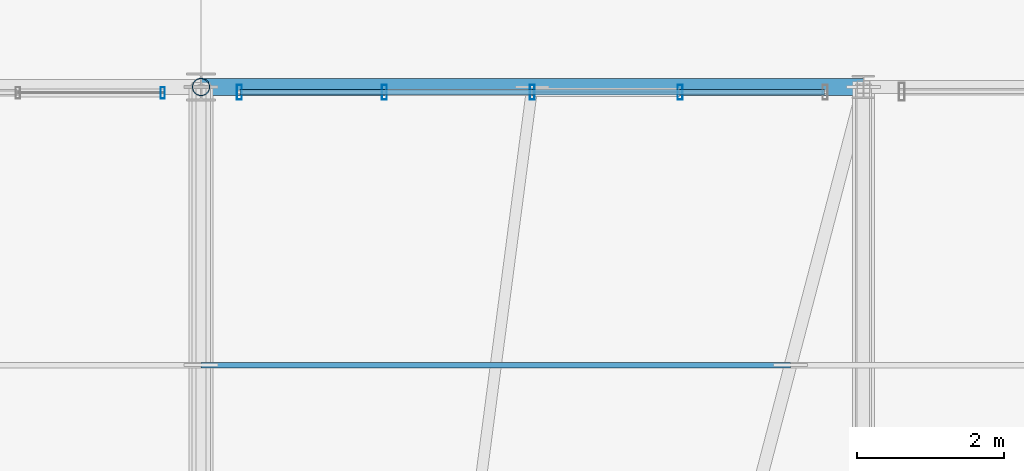
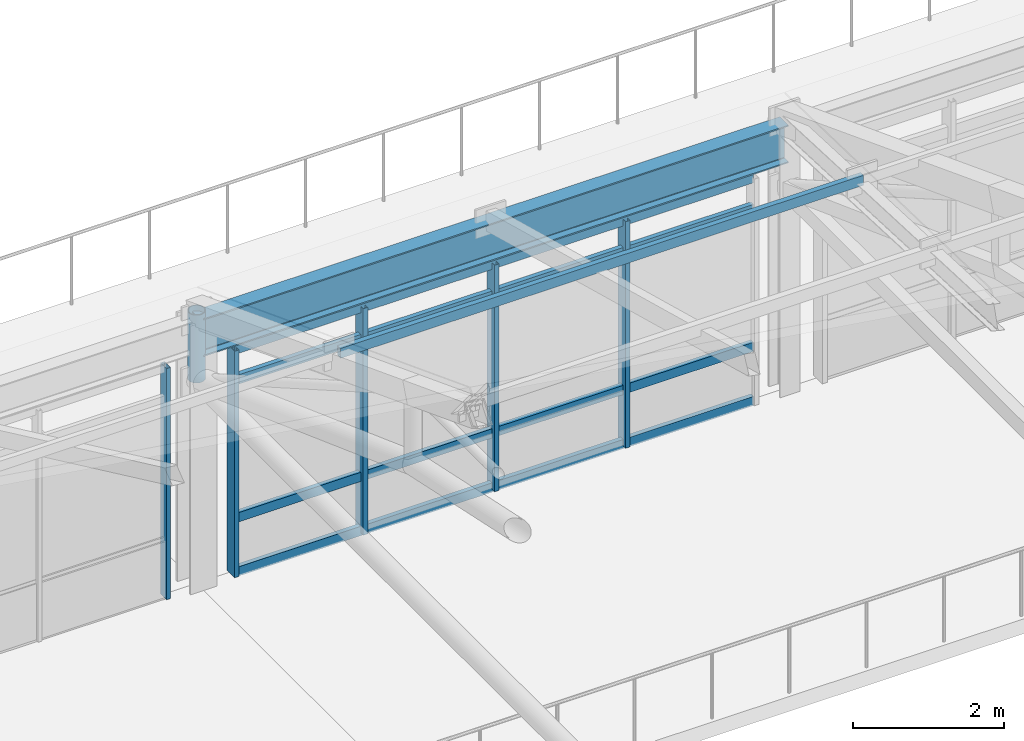
# One storey, part 59 of 168: 11 members, 1 beam, 2 elements without a shape of their own.
"""IFC4 building model written with IfcOpenShell, lengths in metres."""

from ifc_helpers import new_model, si_unit, direction, frame, origin, origin_2d, place, context, subcontext, project, spatial, hollow_rectangle, hollow_circle, i_section, extrude, material, material_profile, profile_set, type_object, element, aggregate, save


model = new_model("IFC4")

# Units and contexts
model_context = context("Model", 3, precision=1e-05, world=origin(), true_north=direction((0.0, 1.0)))
body_context = subcontext(model_context, "Body", "Model", "MODEL_VIEW")
ifc_project = project(units=[si_unit("LENGTHUNIT", "METRE"), si_unit("AREAUNIT", "SQUARE_METRE"), si_unit("VOLUMEUNIT", "CUBIC_METRE"), si_unit("PLANEANGLEUNIT", "RADIAN"), si_unit("MASSUNIT", "GRAM", prefix="KILO"), si_unit("THERMODYNAMICTEMPERATUREUNIT", "KELVIN"), si_unit("POWERUNIT", "WATT")], contexts=[model_context])

# Site, building, storey
site_placement = place(None, origin())
site = spatial("IfcSite", under=ifc_project, at=site_placement, CompositionType="ELEMENT")
building_placement = place(site_placement, origin())
building = spatial("IfcBuilding", under=site, at=building_placement, Name="Tepalcoro Natatorium and Aquatics Centre", CompositionType="ELEMENT")
storey_placement = place(building_placement, frame((0.0, 0.0, 10.199951171875)))
storey = spatial("IfcBuildingStorey", under=building, at=storey_placement, Name="L02", CompositionType="ELEMENT", Elevation=10.199951171875)

# Curtain wall, member
ifc_material_1 = material(Name="Bronze-Anodised Extruded Aluminium Alloy EN AW-6063 T6", Category="aluminium")
curtain_wall_type_1 = type_object("IfcCurtainWallType", Name="CW_LEAN_T2_EW", PredefinedType="USERDEFINED", material=ifc_material_1)
curtain_wall_1_placement = place(storey_placement, origin())
curtain_wall_1 = element("IfcCurtainWall", 1, at=curtain_wall_1_placement, inside=storey, type_object=curtain_wall_type_1, Name="V1 L02 N Unitised Curtain Wall Bay 4", ObjectType="FACETED SOLAR GLAZING", PredefinedType="USERDEFINED")
ifc_material_profile_1 = material_profile(ifc_material_1, hollow_rectangle(XDim=0.06005859375, YDim=0.159912109375, WallThickness=0.00390625, at=origin_2d()), Name="AL60X160X4")
ifc_profile_set_1 = profile_set([ifc_material_profile_1], Name="Bronze-Anodised Extruded Aluminium Alloy EN AW-6063 T6")
member_type_1 = type_object("IfcMemberType", Name="CW_MUL_60x160", PredefinedType="MULLION", material=ifc_profile_set_1)
member_1_placement = place(storey_placement, frame((88.47998046875, 58.919921875, 0.02001953125), z_axis=(0.0, 0.0, 1.0), x_axis=(1.0, 0.0, 0.0)))
member_1 = element("IfcMember", 2, at=member_1_placement, type_object=member_type_1, Name="CW_LEAN_T2_EW Curtain Wall Mullion", PredefinedType="MULLION", context=body_context, shape_type="SweptSolid", body=[
    extrude(hollow_rectangle(XDim=0.06005859375, YDim=0.159912109375, WallThickness=0.00390625, at=origin_2d()), origin(), (0.0, 0.0, 1.0), 3.744140625),
])
aggregate(curtain_wall_1, [member_1])

# Curtain wall, members
curtain_wall_type_2 = type_object("IfcCurtainWallType", Name="CW_V1_PLINTH", PredefinedType="USERDEFINED", material=ifc_material_1)
curtain_wall_2_placement = place(storey_placement, origin())
curtain_wall_2 = element("IfcCurtainWall", 3, at=curtain_wall_2_placement, inside=storey, type_object=curtain_wall_type_2, Name="V1 L02 N Unitised Curtain Wall Bay 5", ObjectType="UNITISED STOREFRONT", PredefinedType="USERDEFINED")
ifc_material_profile_2 = material_profile(ifc_material_1, hollow_rectangle(XDim=0.070068359375, YDim=0.199951171875, WallThickness=0.0048828125, at=origin_2d()), Name="AL70X200X5")
ifc_profile_set_2 = profile_set([ifc_material_profile_2], Name="Bronze-Anodised Extruded Aluminium Alloy EN AW-6063 T6")
member_type_2 = type_object("IfcMemberType", Name="CW_MUL_70x200", PredefinedType="MULLION", material=ifc_profile_set_2)
member_2_placement = place(storey_placement, frame((89.52001953125, 58.9287109375, 0.02001953125), z_axis=(0.0, 0.0, 1.0), x_axis=(1.0, 0.0, 0.0)))
member_2 = element("IfcMember", 4, at=member_2_placement, type_object=member_type_2, Name="CW_V1_PLINTH Curtain Wall Mullion", PredefinedType="MULLION", context=body_context, shape_type="SweptSolid", body=[
    extrude(hollow_rectangle(XDim=0.070068359375, YDim=0.199951171875, WallThickness=0.0048828125, at=origin_2d()), origin(), (0.0, 0.0, 1.0), 3.66796875),
])
member_3_placement = place(storey_placement, frame((91.489990234375, 58.9287109375, 0.02001953125), z_axis=(0.0, 0.0, 1.0), x_axis=(1.0, 0.0, 0.0)))
member_3 = element("IfcMember", 5, at=member_3_placement, type_object=member_type_2, Name="CW_V1_PLINTH Curtain Wall Mullion", PredefinedType="MULLION", context=body_context, shape_type="SweptSolid", body=[
    extrude(hollow_rectangle(XDim=0.070068359375, YDim=0.199951171875, WallThickness=0.0048828125, at=origin_2d()), origin(), (0.0, 0.0, 1.0), 3.66796875),
])
member_4_placement = place(storey_placement, frame((93.5, 58.9287109375, 0.02001953125), z_axis=(0.0, 0.0, 1.0), x_axis=(1.0, 0.0, 0.0)))
member_4 = element("IfcMember", 6, at=member_4_placement, type_object=member_type_2, Name="CW_V1_PLINTH Curtain Wall Mullion", PredefinedType="MULLION", context=body_context, shape_type="SweptSolid", body=[
    extrude(hollow_rectangle(XDim=0.070068359375, YDim=0.199951171875, WallThickness=0.0048828125, at=origin_2d()), origin(), (0.0, 0.0, 1.0), 3.66796875),
])
member_5_placement = place(storey_placement, frame((95.510009765625, 58.9287109375, 0.02001953125), z_axis=(0.0, 0.0, 1.0), x_axis=(1.0, 0.0, 0.0)))
member_5 = element("IfcMember", 7, at=member_5_placement, type_object=member_type_2, Name="CW_V1_PLINTH Curtain Wall Mullion", PredefinedType="MULLION", context=body_context, shape_type="SweptSolid", body=[
    extrude(hollow_rectangle(XDim=0.070068359375, YDim=0.199951171875, WallThickness=0.0048828125, at=origin_2d()), origin(), (0.0, 0.0, 1.0), 3.66796875),
])
ifc_material_profile_3 = material_profile(ifc_material_1, hollow_rectangle(XDim=0.070068359375, YDim=0.14990234375, WallThickness=0.00390625, at=origin_2d()), Name="AL70X150X4")
ifc_profile_set_3 = profile_set([ifc_material_profile_3], Name="Bronze-Anodised Extruded Aluminium Alloy EN AW-6063 T6")
member_type_3 = type_object("IfcMemberType", Name="CW_TRN_70x150", PredefinedType="USERDEFINED", material=ifc_profile_set_3)
member_6_placement = place(storey_placement, frame((89.530029296875, 58.9287109375, 0.050048828125), z_axis=(1.0, 0.0, 0.0), x_axis=(0.0, 1.0, 0.0)))
member_6 = element("IfcMember", 8, at=member_6_placement, type_object=member_type_3, Name="CW_V1_PLINTH Curtain Wall Transom", ObjectType="TRANSOM", PredefinedType="USERDEFINED", context=body_context, shape_type="SweptSolid", body=[
    extrude(hollow_rectangle(XDim=0.070068359375, YDim=0.14990234375, WallThickness=0.00390625, at=origin_2d()), origin(), (0.0, 0.0, 1.0), 7.93994140625),
])
member_7_placement = place(storey_placement, frame((89.530029296875, 58.9287109375, 0.927001953125), z_axis=(1.0, 0.0, 0.0), x_axis=(0.0, 1.0, 0.0)))
member_7 = element("IfcMember", 9, at=member_7_placement, type_object=member_type_3, Name="CW_V1_PLINTH Curtain Wall Transom", ObjectType="TRANSOM", PredefinedType="USERDEFINED", context=body_context, shape_type="SweptSolid", body=[
    extrude(hollow_rectangle(XDim=0.070068359375, YDim=0.14990234375, WallThickness=0.00390625, at=origin_2d()), origin(), (0.0, 0.0, 1.0), 7.93994140625),
])
member_8_placement = place(storey_placement, frame((89.530029296875, 58.9287109375, 3.157958984375), z_axis=(1.0, 0.0, 0.0), x_axis=(0.0, 1.0, 0.0)))
member_8 = element("IfcMember", 10, at=member_8_placement, type_object=member_type_3, Name="CW_V1_PLINTH Curtain Wall Transom", ObjectType="TRANSOM", PredefinedType="USERDEFINED", context=body_context, shape_type="SweptSolid", body=[
    extrude(hollow_rectangle(XDim=0.070068359375, YDim=0.14990234375, WallThickness=0.00390625, at=origin_2d()), origin(), (0.0, 0.0, 1.0), 7.93994140625),
])
member_9_placement = place(storey_placement, frame((89.530029296875, 58.9287109375, 3.657958984375), z_axis=(1.0, 0.0, 0.0), x_axis=(0.0, 1.0, 0.0)))
member_9 = element("IfcMember", 11, at=member_9_placement, type_object=member_type_3, Name="CW_V1_PLINTH Curtain Wall Transom", ObjectType="TRANSOM", PredefinedType="USERDEFINED", context=body_context, shape_type="SweptSolid", body=[
    extrude(hollow_rectangle(XDim=0.070068359375, YDim=0.14990234375, WallThickness=0.00390625, at=origin_2d()), origin(), (0.0, 0.0, 1.0), 7.93994140625),
])
aggregate(curtain_wall_2, [member_2, member_3, member_4, member_5, member_6, member_7, member_8, member_9])

# Members
ifc_material_2 = material(Name="Hollow Steel ASTM A500 Grade C (Fy 345 MPa)", Category="steel")
ifc_material_profile_4 = material_profile(ifc_material_2, hollow_rectangle(XDim=0.080078125, YDim=0.159912109375, WallThickness=0.008056640625, at=origin_2d()), Name="HSS160X80X8")
ifc_profile_set_4 = profile_set([ifc_material_profile_4], Name="Hollow Steel ASTM A500 Grade C (Fy 345 MPa)")
member_type_4 = type_object("IfcMemberType", Name="MB_PR_HSS160x80x8", PredefinedType="PURLIN", material=ifc_profile_set_4)
member_10_placement = place(storey_placement, frame((89.0, 55.219970703125, 6.03662109375), z_axis=(1.0, 0.0, 0.0), x_axis=(0.0, 1.0, 0.0)))
element("IfcMember", 12, at=member_10_placement, inside=storey, type_object=member_type_4, Name="Pyramid Horizontal Purlin North", PredefinedType="PURLIN", context=body_context, shape_type="SweptSolid", body=[
    extrude(hollow_rectangle(XDim=0.080078125, YDim=0.159912109375, WallThickness=0.008056640625, at=origin_2d()), origin(), (0.0, 0.0, 1.0), 8.010009765625),
])
ifc_material_3 = material(Name="Terracotta Painted Hollow Steel ASTM A500 Grade C (Fy 345 MPa)", Category="masonry")
ifc_material_profile_5 = material_profile(ifc_material_3, hollow_circle(Radius=0.1220703125, WallThickness=0.011962890625, at=origin_2d()), Name="CHS244X12")
ifc_profile_set_5 = profile_set([ifc_material_profile_5], Name="Terracotta Painted Hollow Steel ASTM A500 Grade C (Fy 345 MPa)")
member_type_5 = type_object("IfcMemberType", Name="MB_PS_CHS244x12", PredefinedType="POST", material=ifc_profile_set_5)
member_11_placement = place(storey_placement, frame((89.0, 59.0, 3.324951171875), z_axis=(0.0, 0.0, 1.0), x_axis=(1.0, 0.0, 0.0)))
element("IfcMember", 13, at=member_11_placement, inside=storey, type_object=member_type_5, Name="V1 Arched Truss Vertical Post 5", PredefinedType="POST", context=body_context, shape_type="SweptSolid", body=[
    extrude(hollow_circle(Radius=0.1220703125, WallThickness=0.011962890625, at=origin_2d()), origin(), (0.0, 0.0, 1.0), 1.10009765625),
])

# Beam
ifc_material_4 = material(Name="Steel ASTM A992 Grade 50 (Fy 345 MPa)", Category="steel")
ifc_material_profile_6 = material_profile(ifc_material_4, i_section(OverallWidth=0.22900390625, OverallDepth=0.612060546875, WebThickness=0.011962890625, FlangeThickness=0.02001953125, FilletRadius=0.013916015625, at=origin_2d()), Name="W24X84")
ifc_profile_set_6 = profile_set([ifc_material_profile_6], Name="Steel ASTM A992 Grade 50 (Fy 345 MPa)")
beam_type = type_object("IfcBeamType", Name="SP_W24x84", PredefinedType="SPANDREL", material=ifc_profile_set_6)
beam_placement = place(storey_placement, frame((89.0, 59.0, 4.029052734375), z_axis=(1.0, 0.0, 0.0), x_axis=(0.0, 1.0, 0.0)))
element("IfcBeam", 14, at=beam_placement, inside=storey, type_object=beam_type, Name="V1 L02 Grid Girder X", PredefinedType="SPANDREL", context=body_context, shape_type="SweptSolid", body=[
    extrude(i_section(OverallWidth=0.22900390625, OverallDepth=0.612060546875, WebThickness=0.011962890625, FlangeThickness=0.02001953125, FilletRadius=0.013916015625, at=origin_2d()), origin(), (0.0, 0.0, 1.0), 9.0),
])

save(model, "model.ifc")
